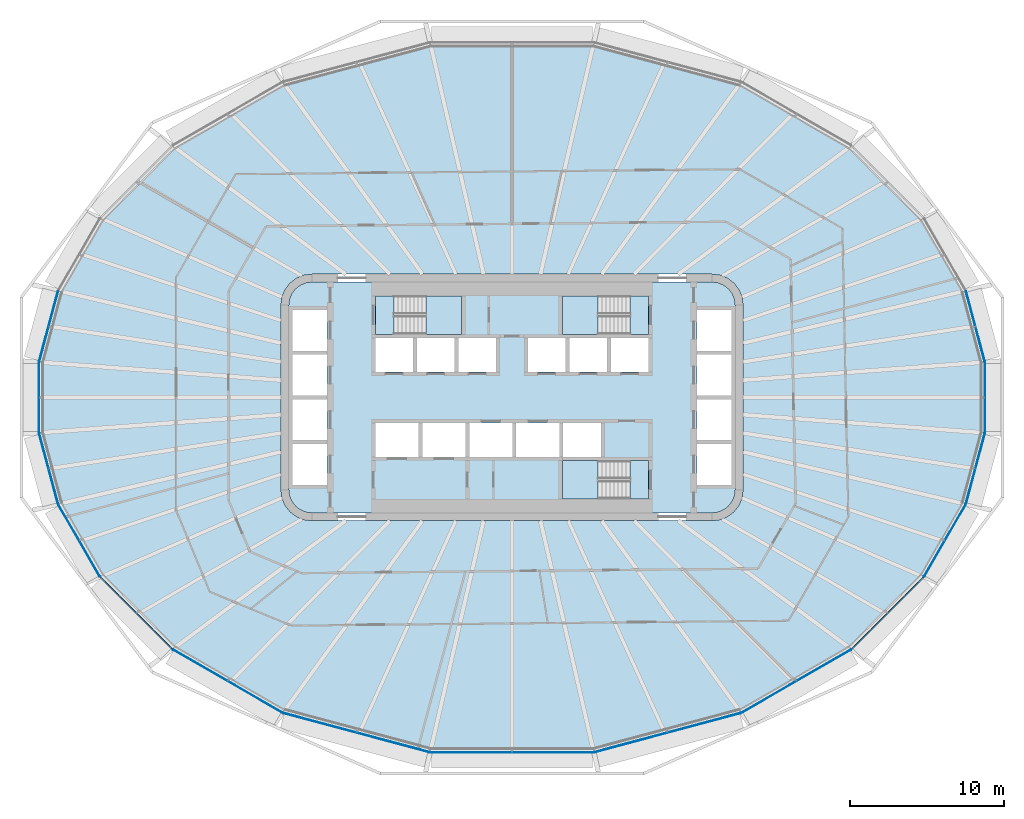
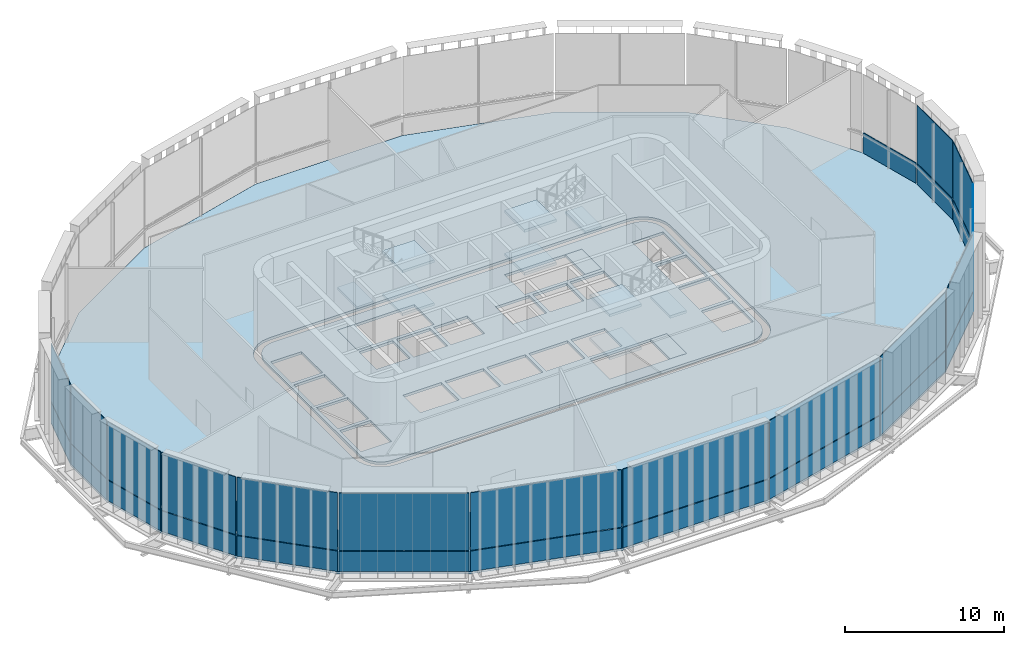
# One storey, part 6 of 18: 29 plates, 14 slabs, 18 elements without a shape of their own.
"""IFC4 building model written with IfcOpenShell, lengths in metres."""

from ifc_helpers import new_model, si_unit, direction, frame, origin, place, context, subcontext, project, spatial, polyline, outline, extrude, material, layer, layer_set, type_object, element, aggregate, save


model = new_model("IFC4")

# Units and contexts
model_context = context("Model", 3, precision=1e-05, world=origin(), true_north=direction((0.0, 1.0)))
body_context = subcontext(model_context, "Body", "Model", "MODEL_VIEW")
ifc_project = project(units=[si_unit("LENGTHUNIT", "METRE"), si_unit("AREAUNIT", "SQUARE_METRE"), si_unit("VOLUMEUNIT", "CUBIC_METRE"), si_unit("PLANEANGLEUNIT", "RADIAN"), si_unit("MASSUNIT", "GRAM", prefix="KILO")], contexts=[model_context])

# Site, building, storey
site_placement = place(None, origin())
site = spatial("IfcSite", under=ifc_project, at=site_placement, CompositionType="ELEMENT")
building_placement = place(site_placement, origin())
building = spatial("IfcBuilding", under=site, at=building_placement, Name="Sahrelin Media Tower", CompositionType="ELEMENT")
storey_placement = place(building_placement, frame((0.0, 0.0, 203.0)))
storey = spatial("IfcBuildingStorey", under=building, at=storey_placement, Name="L43", CompositionType="ELEMENT", Elevation=203.0)

# Slabs
ifc_material_1 = material(Name="Concrete C40/50", Category="concrete")
ifc_layer_1 = layer(ifc_material_1, 0.199951171875)
ifc_layer_set_1 = layer_set([ifc_layer_1], Name="Composite floor slab 200")
slab_type_1 = type_object("IfcSlabType", Name="Composite floor slab 200", PredefinedType="FLOOR", material=ifc_layer_set_1)
placement_1 = place(storey_placement, frame((0.0, 0.0, -0.199951171875)))
element("IfcSlab", 1, at=placement_1, inside=storey, type_object=slab_type_1, Name="Floor slab L43", PredefinedType="FLOOR", context=body_context, shape_type="SweptSolid", body=[
    extrude(outline(polyline([(30.693115234375, -2.29248046875), (30.693115234375, 2.29248046875), (29.451904296875, 6.92431640625), (26.723388671875, 11.64990234375), (22.035400390625, 16.338134765625), (14.87939453125, 20.4697265625), (5.315185546875, 23.032470703125), (-5.315185546875, 23.032470703125), (-14.87939453125, 20.4697265625), (-22.035400390625, 16.338134765625), (-26.723388671875, 11.64990234375), (-29.451904296875, 6.92431640625), (-30.693115234375, 2.29248046875), (-30.693115234375, -2.29248046875), (-29.451904296875, -6.92431640625), (-26.723388671875, -11.64990234375), (-22.035400390625, -16.338134765625), (-14.87939453125, -20.4697265625), (-5.315185546875, -23.032470703125), (5.315185546875, -23.032470703125), (14.87939453125, -20.4697265625), (22.035400390625, -16.338134765625), (26.723388671875, -11.64990234375), (29.451904296875, -6.92431640625), (30.693115234375, -2.29248046875)]), holes=[polyline([(14.931884765625, 6.517578125), (15.0, 6.0), (15.0, -6.0), (14.931884765625, -6.517578125), (14.732177734375, -7.0), (14.414306640625, -7.414306640625), (14.0, -7.732177734375), (13.517578125, -7.931884765625), (13.0, -8.0), (-13.0, -8.0), (-13.517578125, -7.931884765625), (-14.0, -7.732177734375), (-14.414306640625, -7.414306640625), (-14.732177734375, -7.0), (-14.931884765625, -6.517578125), (-15.0, -6.0), (-15.0, 6.0), (-14.931884765625, 6.517578125), (-14.732177734375, 7.0), (-14.414306640625, 7.414306640625), (-14.0, 7.732177734375), (-13.517578125, 7.931884765625), (-13.0, 8.0), (13.0, 8.0), (13.517578125, 7.931884765625), (14.0, 7.732177734375), (14.414306640625, 7.414306640625), (14.732177734375, 7.0), (14.931884765625, 6.517578125)])]), origin(), (0.0, 0.0, 1.0), 0.199951171875),
])
ifc_layer_2 = layer(ifc_material_1, 0.199951171875)
ifc_layer_set_2 = layer_set([ifc_layer_2], Name="Core floor slab 200")
slab_type_2 = type_object("IfcSlabType", Name="Core floor slab 200", PredefinedType="FLOOR", material=ifc_layer_set_2)
element("IfcSlab", 2, at=placement_1, inside=storey, type_object=slab_type_2, Name="Core floor", PredefinedType="FLOOR", context=body_context, shape_type="SweptSolid", body=[
    extrude(outline(polyline([(12.96728515625, 7.5), (-12.96728515625, 7.5), (-13.38720703125, 7.44482421875), (-13.747802734375, 7.29541015625), (-14.0576171875, 7.0576171875), (-14.29541015625, 6.747802734375), (-14.44482421875, 6.38720703125), (-14.5, 5.96728515625), (-14.5, -5.96728515625), (-14.44482421875, -6.38720703125), (-14.29541015625, -6.747802734375), (-14.0576171875, -7.0576171875), (-13.747802734375, -7.29541015625), (-13.38720703125, -7.44482421875), (-12.96728515625, -7.5), (12.96728515625, -7.5), (13.38720703125, -7.44482421875), (13.747802734375, -7.29541015625), (14.0576171875, -7.0576171875), (14.29541015625, -6.747802734375), (14.44482421875, -6.38720703125), (14.5, -5.96728515625), (14.5, 5.96728515625), (14.44482421875, 6.38720703125), (14.29541015625, 6.747802734375), (14.0576171875, 7.0576171875), (13.747802734375, 7.29541015625), (13.38720703125, 7.44482421875), (12.96728515625, 7.5)]), holes=[polyline([(-14.25, 5.675048828125), (-14.25, 3.02490234375), (-12.0, 3.02490234375), (-12.0, 5.675048828125), (-14.25, 5.675048828125)]), polyline([(-12.0, 2.77490234375), (-14.25, 2.77490234375), (-14.25, 0.125), (-12.0, 0.125), (-12.0, 2.77490234375)]), polyline([(-12.0, -2.77490234375), (-12.0, -0.125), (-14.25, -0.125), (-14.25, -2.77490234375), (-12.0, -2.77490234375)]), polyline([(-14.25, -5.675048828125), (-12.0, -5.675048828125), (-12.0, -3.02490234375), (-14.25, -3.02490234375), (-14.25, -5.675048828125)]), polyline([(12.0, 5.675048828125), (12.0, 3.02490234375), (14.25, 3.02490234375), (14.25, 5.675048828125), (12.0, 5.675048828125)]), polyline([(14.25, 2.77490234375), (12.0, 2.77490234375), (12.0, 0.125), (14.25, 0.125), (14.25, 2.77490234375)]), polyline([(14.25, -2.77490234375), (14.25, -0.125), (12.0, -0.125), (12.0, -2.77490234375), (14.25, -2.77490234375)]), polyline([(12.0, -5.675048828125), (14.25, -5.675048828125), (14.25, -3.02490234375), (12.0, -3.02490234375), (12.0, -5.675048828125)]), polyline([(-8.875, 3.85009765625), (-8.875, 1.64990234375), (-6.425048828125, 1.64990234375), (-6.425048828125, 3.85009765625), (-8.875, 3.85009765625)]), polyline([(-3.72509765625, 3.85009765625), (-6.175048828125, 3.85009765625), (-6.175048828125, 1.64990234375), (-3.72509765625, 1.64990234375), (-3.72509765625, 3.85009765625)]), polyline([(-1.02490234375, 1.64990234375), (-1.02490234375, 3.85009765625), (-3.47509765625, 3.85009765625), (-3.47509765625, 1.64990234375), (-1.02490234375, 1.64990234375)]), polyline([(1.02490234375, 1.64990234375), (3.47509765625, 1.64990234375), (3.47509765625, 3.85009765625), (1.02490234375, 3.85009765625), (1.02490234375, 1.64990234375)]), polyline([(3.72509765625, 3.85009765625), (3.72509765625, 1.64990234375), (6.175048828125, 1.64990234375), (6.175048828125, 3.85009765625), (3.72509765625, 3.85009765625)]), polyline([(8.875, 3.85009765625), (6.425048828125, 3.85009765625), (6.425048828125, 1.64990234375), (8.875, 1.64990234375), (8.875, 3.85009765625)]), polyline([(-6.074951171875, -3.85009765625), (-6.074951171875, -1.64990234375), (-8.875, -1.64990234375), (-8.875, -3.85009765625), (-6.074951171875, -3.85009765625)]), polyline([(-5.824951171875, -3.85009765625), (-3.02490234375, -3.85009765625), (-3.02490234375, -1.64990234375), (-5.824951171875, -1.64990234375), (-5.824951171875, -3.85009765625)]), polyline([(-2.77490234375, -1.64990234375), (-2.77490234375, -3.85009765625), (0.02490234375, -3.85009765625), (0.02490234375, -1.64990234375), (-2.77490234375, -1.64990234375)]), polyline([(3.074951171875, -1.64990234375), (0.27490234375, -1.64990234375), (0.27490234375, -3.85009765625), (3.074951171875, -3.85009765625), (3.074951171875, -1.64990234375)]), polyline([(5.77490234375, -3.85009765625), (5.77490234375, -1.64990234375), (3.324951171875, -1.64990234375), (3.324951171875, -3.85009765625), (5.77490234375, -3.85009765625)]), polyline([(-8.875, 6.60009765625), (-8.875, 4.10009765625), (-3.27490234375, 4.10009765625), (-3.27490234375, 6.60009765625), (-8.875, 6.60009765625)]), polyline([(3.27490234375, 4.10009765625), (8.875, 4.10009765625), (8.875, 6.60009765625), (3.27490234375, 6.60009765625), (3.27490234375, 4.10009765625)]), polyline([(3.27490234375, -4.10009765625), (3.27490234375, -6.60009765625), (8.875, -6.60009765625), (8.875, -4.10009765625), (3.27490234375, -4.10009765625)])]), origin(), (0.0, 0.0, 1.0), 0.199951171875),
])

# Curtain wall, plates
ifc_material_2 = material(Name="Champagne anodised aluminium 6063-T6", Category="aluminium")
ifc_layer_3 = layer(ifc_material_2, 0.14990234375)
ifc_layer_set_3 = layer_set([ifc_layer_3], Name="Sky lobby curtain wall")
curtain_wall_type = type_object("IfcCurtainWallType", Name="Sky lobby curtain wall", PredefinedType="NOTDEFINED", material=ifc_layer_set_3)
curtain_wall_1_placement = place(storey_placement, frame((30.712890625, 0.0, 0.0), z_axis=(0.0, 0.0, 1.0), x_axis=(1.0, 0.0, 0.0)))
curtain_wall_1 = element("IfcCurtainWall", 3, at=curtain_wall_1_placement, inside=storey, type_object=curtain_wall_type, Name="L43:CW:L43-00", PredefinedType="NOTDEFINED")
ifc_material_3 = material(Name="Clear low-iron glazing", Category="glass")
ifc_layer_4 = layer(ifc_material_3, 0.050048828125)
ifc_layer_set_4 = layer_set([ifc_layer_4], Name="Glazing panel 50 mm CW2")
plate_type = type_object("IfcPlateType", Name="Glazing panel 50 mm CW2", PredefinedType="CURTAIN_PANEL", material=ifc_layer_set_4)
plate_1_placement = place(storey_placement, frame((30.73291015625, -2.2451171875, 0.0), z_axis=(1.0, 0.0, 0.0), x_axis=(0.0, 1.0, 0.0)))
plate_1 = element("IfcPlate", 4, at=plate_1_placement, type_object=plate_type, Name="L43:CWP1:L43-00", PredefinedType="CURTAIN_PANEL", context=body_context, shape_type="SweptSolid", body=[
    extrude(outline(polyline([(0.0, 0.0), (4.490234375, 0.0), (4.490234375, 1.570068359375), (0.0, 1.570068359375), (0.0, 0.0)])), origin(), (0.0, 0.0, -1.0), 0.050048828125),
])
plate_2_placement = place(storey_placement, frame((30.73291015625, -2.2451171875, 1.6298828125), z_axis=(1.0, 0.0, 0.0), x_axis=(0.0, 1.0, 0.0)))
plate_2 = element("IfcPlate", 5, at=plate_2_placement, type_object=plate_type, Name="L43:CWP2:L43-00", PredefinedType="CURTAIN_PANEL", context=body_context, shape_type="SweptSolid", body=[
    extrude(outline(polyline([(0.0, 0.0), (4.490234375, 0.0), (4.490234375, 4.418701171875), (0.0, 4.418701171875), (0.0, 0.0)])), origin(), (0.0, 0.0, -1.0), 0.050048828125),
])
aggregate(curtain_wall_1, [plate_1, plate_2])

# Curtain wall, plate
curtain_wall_2_placement = place(storey_placement, frame((30.091796875, 4.613525390625, 0.0), z_axis=(0.0, 0.0, 1.0), x_axis=(1.0, 0.0, 0.0)))
curtain_wall_2 = element("IfcCurtainWall", 6, at=curtain_wall_2_placement, inside=storey, type_object=curtain_wall_type, Name="L43:CW:L43-01", PredefinedType="NOTDEFINED")
plate_3_placement = place(storey_placement, frame((30.719482421875, 2.3486328125, 0.0), z_axis=(0.965913504326, 0.258865026916, 0.0), x_axis=(-0.258865026916, 0.965913504326, 0.0)))
plate_3 = element("IfcPlate", 7, at=plate_3_placement, type_object=plate_type, Name="L43:CWP1:L43-01", PredefinedType="CURTAIN_PANEL", context=body_context, shape_type="SweptSolid", body=[
    extrude(outline(polyline([(0.0, 0.0), (4.700439453125, 0.0), (4.700439453125, 1.570068359375), (0.0, 1.570068359375), (0.0, 0.0)])), origin(), (0.0, 0.0, -1.0), 0.050048828125),
])
aggregate(curtain_wall_2, [plate_3])

# Curtain wall, plates
curtain_wall_3_placement = place(storey_placement, frame((-30.091796875, 4.613525390625, 0.0), z_axis=(0.0, 0.0, 1.0), x_axis=(1.0, 0.0, 0.0)))
curtain_wall_3 = element("IfcCurtainWall", 8, at=curtain_wall_3_placement, inside=storey, type_object=curtain_wall_type, Name="L43:CW:L43-11", PredefinedType="NOTDEFINED")
plate_4_placement = place(storey_placement, frame((-29.502685546875, 6.888916015625, 0.0), z_axis=(-0.965913504326, 0.258865026916, 0.0), x_axis=(-0.258865026916, -0.965913504326, 0.0)))
plate_4 = element("IfcPlate", 9, at=plate_4_placement, type_object=plate_type, Name="L43:CWP1:L43-11", PredefinedType="CURTAIN_PANEL", context=body_context, shape_type="SweptSolid", body=[
    extrude(outline(polyline([(0.0, 0.0), (4.700439453125, 0.0), (4.700439453125, 1.570068359375), (0.0, 1.570068359375), (0.0, 0.0)])), origin(), (0.0, 0.0, -1.0), 0.050048828125),
])
plate_5_placement = place(storey_placement, frame((-29.502685546875, 6.888916015625, 1.6298828125), z_axis=(-0.965913504326, 0.258865026916, 0.0), x_axis=(-0.258865026916, -0.965913504326, 0.0)))
plate_5 = element("IfcPlate", 10, at=plate_5_placement, type_object=plate_type, Name="L43:CWP2:L43-11", PredefinedType="CURTAIN_PANEL", context=body_context, shape_type="SweptSolid", body=[
    extrude(outline(polyline([(0.0, 0.0), (4.700439453125, 0.0), (4.700439453125, 4.418701171875), (0.0, 4.418701171875), (0.0, 0.0)])), origin(), (0.0, 0.0, -1.0), 0.050048828125),
])
aggregate(curtain_wall_3, [plate_4, plate_5])

curtain_wall_4_placement = place(storey_placement, frame((-30.712890625, 0.0, 0.0), z_axis=(0.0, 0.0, 1.0), x_axis=(1.0, 0.0, 0.0)))
curtain_wall_4 = element("IfcCurtainWall", 11, at=curtain_wall_4_placement, inside=storey, type_object=curtain_wall_type, Name="L43:CW:L43-12", PredefinedType="NOTDEFINED")
plate_6_placement = place(storey_placement, frame((-30.73291015625, 2.2451171875, 0.0), z_axis=(-1.0, 0.0, 0.0), x_axis=(0.0, -1.0, 0.0)))
plate_6 = element("IfcPlate", 12, at=plate_6_placement, type_object=plate_type, Name="L43:CWP1:L43-12", PredefinedType="CURTAIN_PANEL", context=body_context, shape_type="SweptSolid", body=[
    extrude(outline(polyline([(0.0, 0.0), (4.490234375, 0.0), (4.490234375, 1.570068359375), (0.0, 1.570068359375), (0.0, 0.0)])), origin(), (0.0, 0.0, -1.0), 0.050048828125),
])
plate_7_placement = place(storey_placement, frame((-30.73291015625, 2.2451171875, 1.6298828125), z_axis=(-1.0, 0.0, 0.0), x_axis=(0.0, -1.0, 0.0)))
plate_7 = element("IfcPlate", 13, at=plate_7_placement, type_object=plate_type, Name="L43:CWP2:L43-12", PredefinedType="CURTAIN_PANEL", context=body_context, shape_type="SweptSolid", body=[
    extrude(outline(polyline([(0.0, 0.0), (4.490234375, 0.0), (4.490234375, 4.418701171875), (0.0, 4.418701171875), (0.0, 0.0)])), origin(), (0.0, 0.0, -1.0), 0.050048828125),
])
aggregate(curtain_wall_4, [plate_6, plate_7])

curtain_wall_5_placement = place(storey_placement, frame((-30.091796875, -4.613525390625, 0.0), z_axis=(0.0, 0.0, 1.0), x_axis=(1.0, 0.0, 0.0)))
curtain_wall_5 = element("IfcCurtainWall", 14, at=curtain_wall_5_placement, inside=storey, type_object=curtain_wall_type, Name="L43:CW:L43-13", PredefinedType="NOTDEFINED")
plate_8_placement = place(storey_placement, frame((-30.719482421875, -2.3486328125, 0.0), z_axis=(-0.965913504326, -0.258865026916, 0.0), x_axis=(0.258865026916, -0.965913504326, 0.0)))
plate_8 = element("IfcPlate", 15, at=plate_8_placement, type_object=plate_type, Name="L43:CWP1:L43-13", PredefinedType="CURTAIN_PANEL", context=body_context, shape_type="SweptSolid", body=[
    extrude(outline(polyline([(0.0, 0.0), (4.700439453125, 0.0), (4.700439453125, 1.570068359375), (0.0, 1.570068359375), (0.0, 0.0)])), origin(), (0.0, 0.0, -1.0), 0.050048828125),
])
plate_9_placement = place(storey_placement, frame((-30.719482421875, -2.3486328125, 1.6298828125), z_axis=(-0.965913504326, -0.258865026916, 0.0), x_axis=(0.258865026916, -0.965913504326, 0.0)))
plate_9 = element("IfcPlate", 16, at=plate_9_placement, type_object=plate_type, Name="L43:CWP2:L43-13", PredefinedType="CURTAIN_PANEL", context=body_context, shape_type="SweptSolid", body=[
    extrude(outline(polyline([(0.0, 0.0), (4.700439453125, 0.0), (4.700439453125, 4.418701171875), (0.0, 4.418701171875), (0.0, 0.0)])), origin(), (0.0, 0.0, -1.0), 0.050048828125),
])
aggregate(curtain_wall_5, [plate_8, plate_9])

curtain_wall_6_placement = place(storey_placement, frame((-28.10498046875, -9.297119140625, 0.0), z_axis=(0.0, 0.0, 1.0), x_axis=(1.0, 0.0, 0.0)))
curtain_wall_6 = element("IfcCurtainWall", 17, at=curtain_wall_6_placement, inside=storey, type_object=curtain_wall_type, Name="L43:CW:L43-14", PredefinedType="NOTDEFINED")
plate_10_placement = place(storey_placement, frame((-29.462890625, -6.9853515625, 0.0), z_axis=(-0.866009672569, -0.500027246275, 0.0), x_axis=(0.500027246275, -0.866009672569, 0.0)))
plate_10 = element("IfcPlate", 18, at=plate_10_placement, type_object=plate_type, Name="L43:CWP1:L43-14", PredefinedType="CURTAIN_PANEL", context=body_context, shape_type="SweptSolid", body=[
    extrude(outline(polyline([(0.0, 0.0), (5.362060546875, 0.0), (5.362060546875, 1.570068359375), (0.0, 1.570068359375), (0.0, 0.0)])), origin(), (0.0, 0.0, -1.0), 0.050048828125),
])
plate_11_placement = place(storey_placement, frame((-29.462890625, -6.9853515625, 1.6298828125), z_axis=(-0.866009672569, -0.500027246275, 0.0), x_axis=(0.500027246275, -0.866009672569, 0.0)))
plate_11 = element("IfcPlate", 19, at=plate_11_placement, type_object=plate_type, Name="L43:CWP2:L43-14", PredefinedType="CURTAIN_PANEL", context=body_context, shape_type="SweptSolid", body=[
    extrude(outline(polyline([(0.0, 0.0), (5.362060546875, 0.0), (5.362060546875, 4.418701171875), (0.0, 4.418701171875), (0.0, 0.0)])), origin(), (0.0, 0.0, -1.0), 0.050048828125),
])
aggregate(curtain_wall_6, [plate_10, plate_11])

curtain_wall_7_placement = place(storey_placement, frame((-24.3935546875, -14.00830078125, 0.0), z_axis=(0.0, 0.0, 1.0), x_axis=(1.0, 0.0, 0.0)))
curtain_wall_7 = element("IfcCurtainWall", 20, at=curtain_wall_7_placement, inside=storey, type_object=curtain_wall_type, Name="L43:CW:L43-15", PredefinedType="NOTDEFINED")
plate_12_placement = place(storey_placement, frame((-26.71826171875, -11.7119140625, 0.0), z_axis=(-0.707106781187, -0.707106781187, 0.0), x_axis=(0.707106781187, -0.707106781187, 0.0)))
plate_12 = element("IfcPlate", 21, at=plate_12_placement, type_object=plate_type, Name="L43:CWP1:L43-15", PredefinedType="CURTAIN_PANEL", context=body_context, shape_type="SweptSolid", body=[
    extrude(outline(polyline([(0.0, 0.0), (6.53515625, 0.0), (6.53515625, 1.570068359375), (0.0, 1.570068359375), (0.0, 0.0)])), origin(), (0.0, 0.0, -1.0), 0.050048828125),
])
plate_13_placement = place(storey_placement, frame((-26.71826171875, -11.7119140625, 1.6298828125), z_axis=(-0.707106781187, -0.707106781187, 0.0), x_axis=(0.707106781187, -0.707106781187, 0.0)))
plate_13 = element("IfcPlate", 22, at=plate_13_placement, type_object=plate_type, Name="L43:CWP2:L43-15", PredefinedType="CURTAIN_PANEL", context=body_context, shape_type="SweptSolid", body=[
    extrude(outline(polyline([(0.0, 0.0), (6.53515625, 0.0), (6.53515625, 4.418701171875), (0.0, 4.418701171875), (0.0, 0.0)])), origin(), (0.0, 0.0, -1.0), 0.050048828125),
])
aggregate(curtain_wall_7, [plate_12, plate_13])

curtain_wall_8_placement = place(storey_placement, frame((-18.46728515625, -18.421142578125, 0.0), z_axis=(0.0, 0.0, 1.0), x_axis=(1.0, 0.0, 0.0)))
curtain_wall_8 = element("IfcCurtainWall", 23, at=curtain_wall_8_placement, inside=storey, type_object=curtain_wall_type, Name="L43:CW:L43-16", PredefinedType="NOTDEFINED")
plate_14_placement = place(storey_placement, frame((-22.014404296875, -16.396484375, 0.0), z_axis=(-0.499993243844, -0.866029304418, 0.0), x_axis=(0.866029304418, -0.499993243844, 0.0)))
plate_14 = element("IfcPlate", 24, at=plate_14_placement, type_object=plate_type, Name="L43:CWP1:L43-16", PredefinedType="CURTAIN_PANEL", context=body_context, shape_type="SweptSolid", body=[
    extrude(outline(polyline([(0.0, 0.0), (8.16845703125, 0.0), (8.16845703125, 1.570068359375), (0.0, 1.570068359375), (0.0, 0.0)])), origin(), (0.0, 0.0, -1.0), 0.050048828125),
])
plate_15_placement = place(storey_placement, frame((-22.014404296875, -16.396484375, 1.6298828125), z_axis=(-0.499993243844, -0.866029304418, 0.0), x_axis=(0.866029304418, -0.499993243844, 0.0)))
plate_15 = element("IfcPlate", 25, at=plate_15_placement, type_object=plate_type, Name="L43:CWP2:L43-16", PredefinedType="CURTAIN_PANEL", context=body_context, shape_type="SweptSolid", body=[
    extrude(outline(polyline([(0.0, 0.0), (8.16845703125, 0.0), (8.16845703125, 4.418701171875), (0.0, 4.418701171875), (0.0, 0.0)])), origin(), (0.0, 0.0, -1.0), 0.050048828125),
])
aggregate(curtain_wall_8, [plate_14, plate_15])

curtain_wall_9_placement = place(storey_placement, frame((-10.102294921875, -21.770263671875, 0.0), z_axis=(0.0, 0.0, 1.0), x_axis=(1.0, 0.0, 0.0)))
curtain_wall_9 = element("IfcCurtainWall", 26, at=curtain_wall_9_placement, inside=storey, type_object=curtain_wall_type, Name="L43:CW:L43-17", PredefinedType="NOTDEFINED")
plate_16_placement = place(storey_placement, frame((-14.843994140625, -20.5205078125, 0.0), z_axis=(-0.258832315595, -0.965922270374, 0.0), x_axis=(0.965922270374, -0.258832315595, 0.0)))
plate_16 = element("IfcPlate", 27, at=plate_16_placement, type_object=plate_type, Name="L43:CWP1:L43-17", PredefinedType="CURTAIN_PANEL", context=body_context, shape_type="SweptSolid", body=[
    extrude(outline(polyline([(0.0, 0.0), (9.806884765625, 0.0), (9.806884765625, 1.570068359375), (0.0, 1.570068359375), (0.0, 0.0)])), origin(), (0.0, 0.0, -1.0), 0.050048828125),
])
plate_17_placement = place(storey_placement, frame((-14.843994140625, -20.5205078125, 1.6298828125), z_axis=(-0.258832315595, -0.965922270374, 0.0), x_axis=(0.965922270374, -0.258832315595, 0.0)))
plate_17 = element("IfcPlate", 28, at=plate_17_placement, type_object=plate_type, Name="L43:CWP2:L43-17", PredefinedType="CURTAIN_PANEL", context=body_context, shape_type="SweptSolid", body=[
    extrude(outline(polyline([(0.0, 0.0), (9.806884765625, 0.0), (9.806884765625, 4.418701171875), (0.0, 4.418701171875), (0.0, 0.0)])), origin(), (0.0, 0.0, -1.0), 0.050048828125),
])
aggregate(curtain_wall_9, [plate_16, plate_17])

curtain_wall_10_placement = place(storey_placement, frame((0.0, -23.052490234375, 0.0), z_axis=(0.0, 0.0, 1.0), x_axis=(1.0, 0.0, 0.0)))
curtain_wall_10 = element("IfcCurtainWall", 29, at=curtain_wall_10_placement, inside=storey, type_object=curtain_wall_type, Name="L43:CW:L43-18", PredefinedType="NOTDEFINED")
plate_18_placement = place(storey_placement, frame((-5.267822265625, -23.072509765625, 0.0), z_axis=(0.0, -1.0, 0.0), x_axis=(1.0, 0.0, 0.0)))
plate_18 = element("IfcPlate", 30, at=plate_18_placement, type_object=plate_type, Name="L43:CWP1:L43-18", PredefinedType="CURTAIN_PANEL", context=body_context, shape_type="SweptSolid", body=[
    extrude(outline(polyline([(0.0, 0.0), (10.53564453125, 0.0), (10.53564453125, 1.570068359375), (0.0, 1.570068359375), (0.0, 0.0)])), origin(), (0.0, 0.0, -1.0), 0.050048828125),
])
plate_19_placement = place(storey_placement, frame((-5.267822265625, -23.072509765625, 1.6298828125), z_axis=(0.0, -1.0, 0.0), x_axis=(1.0, 0.0, 0.0)))
plate_19 = element("IfcPlate", 31, at=plate_19_placement, type_object=plate_type, Name="L43:CWP2:L43-18", PredefinedType="CURTAIN_PANEL", context=body_context, shape_type="SweptSolid", body=[
    extrude(outline(polyline([(0.0, 0.0), (10.53564453125, 0.0), (10.53564453125, 4.418701171875), (0.0, 4.418701171875), (0.0, 0.0)])), origin(), (0.0, 0.0, -1.0), 0.050048828125),
])
aggregate(curtain_wall_10, [plate_18, plate_19])

curtain_wall_11_placement = place(storey_placement, frame((10.102294921875, -21.7705078125, 0.0), z_axis=(0.0, 0.0, 1.0), x_axis=(1.0, 0.0, 0.0)))
curtain_wall_11 = element("IfcCurtainWall", 32, at=curtain_wall_11_placement, inside=storey, type_object=curtain_wall_type, Name="L43:CW:L43-19", PredefinedType="NOTDEFINED")
plate_20_placement = place(storey_placement, frame((5.371337890625, -23.058837890625, 0.0), z_axis=(0.258832315595, -0.965922270374, 0.0), x_axis=(0.965922270374, 0.258832315595, 0.0)))
plate_20 = element("IfcPlate", 33, at=plate_20_placement, type_object=plate_type, Name="L43:CWP1:L43-19", PredefinedType="CURTAIN_PANEL", context=body_context, shape_type="SweptSolid", body=[
    extrude(outline(polyline([(0.0, 0.0), (9.806884765625, 0.0), (9.806884765625, 1.570068359375), (0.0, 1.570068359375), (0.0, 0.0)])), origin(), (0.0, 0.0, -1.0), 0.050048828125),
])
plate_21_placement = place(storey_placement, frame((5.371337890625, -23.058837890625, 1.6298828125), z_axis=(0.258832315595, -0.965922270374, 0.0), x_axis=(0.965922270374, 0.258832315595, 0.0)))
plate_21 = element("IfcPlate", 34, at=plate_21_placement, type_object=plate_type, Name="L43:CWP2:L43-19", PredefinedType="CURTAIN_PANEL", context=body_context, shape_type="SweptSolid", body=[
    extrude(outline(polyline([(0.0, 0.0), (9.806884765625, 0.0), (9.806884765625, 4.418701171875), (0.0, 4.418701171875), (0.0, 0.0)])), origin(), (0.0, 0.0, -1.0), 0.050048828125),
])
aggregate(curtain_wall_11, [plate_20, plate_21])

curtain_wall_12_placement = place(storey_placement, frame((18.46728515625, -18.421142578125, 0.0), z_axis=(0.0, 0.0, 1.0), x_axis=(1.0, 0.0, 0.0)))
curtain_wall_12 = element("IfcCurtainWall", 35, at=curtain_wall_12_placement, inside=storey, type_object=curtain_wall_type, Name="L43:CW:L43-20", PredefinedType="NOTDEFINED")
plate_22_placement = place(storey_placement, frame((14.940185546875, -20.480712890625, 0.0), z_axis=(0.499993243844, -0.866029304418, 0.0), x_axis=(0.866029304418, 0.499993243844, 0.0)))
plate_22 = element("IfcPlate", 36, at=plate_22_placement, type_object=plate_type, Name="L43:CWP1:L43-20", PredefinedType="CURTAIN_PANEL", context=body_context, shape_type="SweptSolid", body=[
    extrude(outline(polyline([(0.0, 0.0), (8.16845703125, 0.0), (8.16845703125, 1.570068359375), (0.0, 1.570068359375), (0.0, 0.0)])), origin(), (0.0, 0.0, -1.0), 0.050048828125),
])
plate_23_placement = place(storey_placement, frame((14.940185546875, -20.480712890625, 1.6298828125), z_axis=(0.499993243844, -0.866029304418, 0.0), x_axis=(0.866029304418, 0.499993243844, 0.0)))
plate_23 = element("IfcPlate", 37, at=plate_23_placement, type_object=plate_type, Name="L43:CWP2:L43-20", PredefinedType="CURTAIN_PANEL", context=body_context, shape_type="SweptSolid", body=[
    extrude(outline(polyline([(0.0, 0.0), (8.16845703125, 0.0), (8.16845703125, 4.418701171875), (0.0, 4.418701171875), (0.0, 0.0)])), origin(), (0.0, 0.0, -1.0), 0.050048828125),
])
aggregate(curtain_wall_12, [plate_22, plate_23])

curtain_wall_13_placement = place(storey_placement, frame((24.3935546875, -14.00830078125, 0.0), z_axis=(0.0, 0.0, 1.0), x_axis=(1.0, 0.0, 0.0)))
curtain_wall_13 = element("IfcCurtainWall", 38, at=curtain_wall_13_placement, inside=storey, type_object=curtain_wall_type, Name="L43:CW:L43-21", PredefinedType="NOTDEFINED")
plate_24_placement = place(storey_placement, frame((22.09716796875, -16.3330078125, 0.0), z_axis=(0.707106781187, -0.707106781187, 0.0), x_axis=(0.707106781187, 0.707106781187, 0.0)))
plate_24 = element("IfcPlate", 39, at=plate_24_placement, type_object=plate_type, Name="L43:CWP1:L43-21", PredefinedType="CURTAIN_PANEL", context=body_context, shape_type="SweptSolid", body=[
    extrude(outline(polyline([(0.0, 0.0), (6.53515625, 0.0), (6.53515625, 1.570068359375), (0.0, 1.570068359375), (0.0, 0.0)])), origin(), (0.0, 0.0, -1.0), 0.050048828125),
])
plate_25_placement = place(storey_placement, frame((22.09716796875, -16.3330078125, 1.6298828125), z_axis=(0.707106781187, -0.707106781187, 0.0), x_axis=(0.707106781187, 0.707106781187, 0.0)))
plate_25 = element("IfcPlate", 40, at=plate_25_placement, type_object=plate_type, Name="L43:CWP2:L43-21", PredefinedType="CURTAIN_PANEL", context=body_context, shape_type="SweptSolid", body=[
    extrude(outline(polyline([(0.0, 0.0), (6.53515625, 0.0), (6.53515625, 4.418701171875), (0.0, 4.418701171875), (0.0, 0.0)])), origin(), (0.0, 0.0, -1.0), 0.050048828125),
])
aggregate(curtain_wall_13, [plate_24, plate_25])

curtain_wall_14_placement = place(storey_placement, frame((28.10498046875, -9.297119140625, 0.0), z_axis=(0.0, 0.0, 1.0), x_axis=(1.0, 0.0, 0.0)))
curtain_wall_14 = element("IfcCurtainWall", 41, at=curtain_wall_14_placement, inside=storey, type_object=curtain_wall_type, Name="L43:CW:L43-22", PredefinedType="NOTDEFINED")
plate_26_placement = place(storey_placement, frame((26.78173828125, -11.62890625, 0.0), z_axis=(0.866009672569, -0.500027246275, 0.0), x_axis=(0.500027246275, 0.866009672569, 0.0)))
plate_26 = element("IfcPlate", 42, at=plate_26_placement, type_object=plate_type, Name="L43:CWP1:L43-22", PredefinedType="CURTAIN_PANEL", context=body_context, shape_type="SweptSolid", body=[
    extrude(outline(polyline([(0.0, 0.0), (5.362060546875, 0.0), (5.362060546875, 1.570068359375), (0.0, 1.570068359375), (0.0, 0.0)])), origin(), (0.0, 0.0, -1.0), 0.050048828125),
])
plate_27_placement = place(storey_placement, frame((26.78173828125, -11.62890625, 1.6298828125), z_axis=(0.866009672569, -0.500027246275, 0.0), x_axis=(0.500027246275, 0.866009672569, 0.0)))
plate_27 = element("IfcPlate", 43, at=plate_27_placement, type_object=plate_type, Name="L43:CWP2:L43-22", PredefinedType="CURTAIN_PANEL", context=body_context, shape_type="SweptSolid", body=[
    extrude(outline(polyline([(0.0, 0.0), (5.362060546875, 0.0), (5.362060546875, 4.418701171875), (0.0, 4.418701171875), (0.0, 0.0)])), origin(), (0.0, 0.0, -1.0), 0.050048828125),
])
aggregate(curtain_wall_14, [plate_26, plate_27])

curtain_wall_15_placement = place(storey_placement, frame((30.091796875, -4.613525390625, 0.0), z_axis=(0.0, 0.0, 1.0), x_axis=(1.0, 0.0, 0.0)))
curtain_wall_15 = element("IfcCurtainWall", 44, at=curtain_wall_15_placement, inside=storey, type_object=curtain_wall_type, Name="L43:CW:L43-23", PredefinedType="NOTDEFINED")
plate_28_placement = place(storey_placement, frame((29.502685546875, -6.888916015625, 0.0), z_axis=(0.965913504326, -0.258865026916, 0.0), x_axis=(0.258865026916, 0.965913504326, 0.0)))
plate_28 = element("IfcPlate", 45, at=plate_28_placement, type_object=plate_type, Name="L43:CWP1:L43-23", PredefinedType="CURTAIN_PANEL", context=body_context, shape_type="SweptSolid", body=[
    extrude(outline(polyline([(0.0, 0.0), (4.700439453125, 0.0), (4.700439453125, 1.570068359375), (0.0, 1.570068359375), (0.0, 0.0)])), origin(), (0.0, 0.0, -1.0), 0.050048828125),
])
plate_29_placement = place(storey_placement, frame((29.502685546875, -6.888916015625, 1.6298828125), z_axis=(0.965913504326, -0.258865026916, 0.0), x_axis=(0.258865026916, 0.965913504326, 0.0)))
plate_29 = element("IfcPlate", 46, at=plate_29_placement, type_object=plate_type, Name="L43:CWP2:L43-23", PredefinedType="CURTAIN_PANEL", context=body_context, shape_type="SweptSolid", body=[
    extrude(outline(polyline([(0.0, 0.0), (4.700439453125, 0.0), (4.700439453125, 4.418701171875), (0.0, 4.418701171875), (0.0, 0.0)])), origin(), (0.0, 0.0, -1.0), 0.050048828125),
])
aggregate(curtain_wall_15, [plate_28, plate_29])

# Stair, slabs
stair_type = type_object("IfcStairType", Name="Exit stair 1200", PredefinedType="HALF_TURN_STAIR", material=ifc_material_1)
placement_2 = place(storey_placement, origin())
stair_1 = element("IfcStair", 47, at=placement_2, inside=storey, type_object=stair_type, Name="L43 Exit stair ST1", PredefinedType="HALF_TURN_STAIR")
ifc_layer_5 = layer(ifc_material_1, 0.199951171875)
ifc_layer_set_5 = layer_set([ifc_layer_5], Name="Stair landing 200")
slab_type_3 = type_object("IfcSlabType", Name="Stair landing 200", PredefinedType="LANDING", material=ifc_layer_set_5)
placement_3 = place(storey_placement, frame((0.0, 0.0, 1.449951171875)))
slab_3 = element("IfcSlab", 48, at=placement_3, type_object=slab_type_3, Name="ST1 landing 1", PredefinedType="LANDING", context=body_context, shape_type="SweptSolid", body=[
    extrude(outline(polyline([(-5.594970703125, 4.10009765625), (-3.27490234375, 4.10009765625), (-3.27490234375, 6.60009765625), (-5.594970703125, 6.60009765625), (-5.594970703125, 4.10009765625)])), origin(), (0.0, 0.0, 1.0), 0.199951171875),
])
placement_4 = place(storey_placement, frame((0.0, 0.0, 3.10009765625)))
slab_4 = element("IfcSlab", 49, at=placement_4, type_object=slab_type_3, Name="ST1 landing 2", PredefinedType="LANDING", context=body_context, shape_type="SweptSolid", body=[
    extrude(outline(polyline([(-8.875, 4.10009765625), (-7.675048828125, 4.10009765625), (-7.675048828125, 6.60009765625), (-8.875, 6.60009765625), (-8.875, 4.10009765625)])), origin(), (0.0, 0.0, 1.0), 0.199951171875),
])
placement_5 = place(storey_placement, frame((0.0, 0.0, 4.75)))
slab_5 = element("IfcSlab", 50, at=placement_5, type_object=slab_type_3, Name="ST1 landing 3", PredefinedType="LANDING", context=body_context, shape_type="SweptSolid", body=[
    extrude(outline(polyline([(-5.594970703125, 4.10009765625), (-3.27490234375, 4.10009765625), (-3.27490234375, 6.60009765625), (-5.594970703125, 6.60009765625), (-5.594970703125, 4.10009765625)])), origin(), (0.0, 0.0, 1.0), 0.199951171875),
])
slab_6 = element("IfcSlab", 51, at=placement_1, type_object=slab_type_3, Name="ST1 landing 4", PredefinedType="LANDING", context=body_context, shape_type="SweptSolid", body=[
    extrude(outline(polyline([(-8.875, 4.10009765625), (-7.675048828125, 4.10009765625), (-7.675048828125, 6.60009765625), (-8.875, 6.60009765625), (-8.875, 4.10009765625)])), origin(), (0.0, 0.0, 1.0), 0.199951171875),
])
aggregate(stair_1, [slab_3, slab_4, slab_5, slab_6])

stair_2 = element("IfcStair", 52, at=placement_2, inside=storey, type_object=stair_type, Name="L43 Exit stair ST3", PredefinedType="HALF_TURN_STAIR")
slab_7 = element("IfcSlab", 53, at=placement_3, type_object=slab_type_3, Name="ST3 landing 1", PredefinedType="LANDING", context=body_context, shape_type="SweptSolid", body=[
    extrude(outline(polyline([(5.594970703125, 6.60009765625), (3.27490234375, 6.60009765625), (3.27490234375, 4.10009765625), (5.594970703125, 4.10009765625), (5.594970703125, 6.60009765625)])), origin(), (0.0, 0.0, 1.0), 0.199951171875),
])
slab_8 = element("IfcSlab", 54, at=placement_4, type_object=slab_type_3, Name="ST3 landing 2", PredefinedType="LANDING", context=body_context, shape_type="SweptSolid", body=[
    extrude(outline(polyline([(8.875, 6.60009765625), (7.675048828125, 6.60009765625), (7.675048828125, 4.10009765625), (8.875, 4.10009765625), (8.875, 6.60009765625)])), origin(), (0.0, 0.0, 1.0), 0.199951171875),
])
slab_9 = element("IfcSlab", 55, at=placement_5, type_object=slab_type_3, Name="ST3 landing 3", PredefinedType="LANDING", context=body_context, shape_type="SweptSolid", body=[
    extrude(outline(polyline([(5.594970703125, 6.60009765625), (3.27490234375, 6.60009765625), (3.27490234375, 4.10009765625), (5.594970703125, 4.10009765625), (5.594970703125, 6.60009765625)])), origin(), (0.0, 0.0, 1.0), 0.199951171875),
])
slab_10 = element("IfcSlab", 56, at=placement_1, type_object=slab_type_3, Name="ST3 landing 4", PredefinedType="LANDING", context=body_context, shape_type="SweptSolid", body=[
    extrude(outline(polyline([(8.875, 6.60009765625), (7.675048828125, 6.60009765625), (7.675048828125, 4.10009765625), (8.875, 4.10009765625), (8.875, 6.60009765625)])), origin(), (0.0, 0.0, 1.0), 0.199951171875),
])
aggregate(stair_2, [slab_7, slab_8, slab_9, slab_10])

stair_3 = element("IfcStair", 57, at=placement_2, inside=storey, type_object=stair_type, Name="L43 Exit stair ST2", PredefinedType="HALF_TURN_STAIR")
slab_11 = element("IfcSlab", 58, at=placement_3, type_object=slab_type_3, Name="ST2 landing 1", PredefinedType="LANDING", context=body_context, shape_type="SweptSolid", body=[
    extrude(outline(polyline([(5.594970703125, -4.10009765625), (3.27490234375, -4.10009765625), (3.27490234375, -6.60009765625), (5.594970703125, -6.60009765625), (5.594970703125, -4.10009765625)])), origin(), (0.0, 0.0, 1.0), 0.199951171875),
])
slab_12 = element("IfcSlab", 59, at=placement_4, type_object=slab_type_3, Name="ST2 landing 2", PredefinedType="LANDING", context=body_context, shape_type="SweptSolid", body=[
    extrude(outline(polyline([(8.875, -4.10009765625), (7.675048828125, -4.10009765625), (7.675048828125, -6.60009765625), (8.875, -6.60009765625), (8.875, -4.10009765625)])), origin(), (0.0, 0.0, 1.0), 0.199951171875),
])
slab_13 = element("IfcSlab", 60, at=placement_5, type_object=slab_type_3, Name="ST2 landing 3", PredefinedType="LANDING", context=body_context, shape_type="SweptSolid", body=[
    extrude(outline(polyline([(5.594970703125, -4.10009765625), (3.27490234375, -4.10009765625), (3.27490234375, -6.60009765625), (5.594970703125, -6.60009765625), (5.594970703125, -4.10009765625)])), origin(), (0.0, 0.0, 1.0), 0.199951171875),
])
slab_14 = element("IfcSlab", 61, at=placement_1, type_object=slab_type_3, Name="ST2 landing 4", PredefinedType="LANDING", context=body_context, shape_type="SweptSolid", body=[
    extrude(outline(polyline([(8.875, -4.10009765625), (7.675048828125, -4.10009765625), (7.675048828125, -6.60009765625), (8.875, -6.60009765625), (8.875, -4.10009765625)])), origin(), (0.0, 0.0, 1.0), 0.199951171875),
])
aggregate(stair_3, [slab_11, slab_12, slab_13, slab_14])

save(model, "model.ifc")
